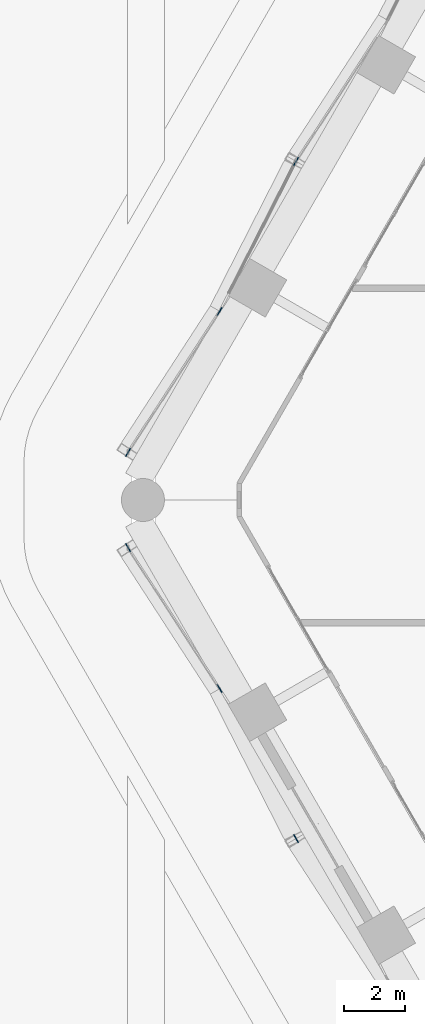
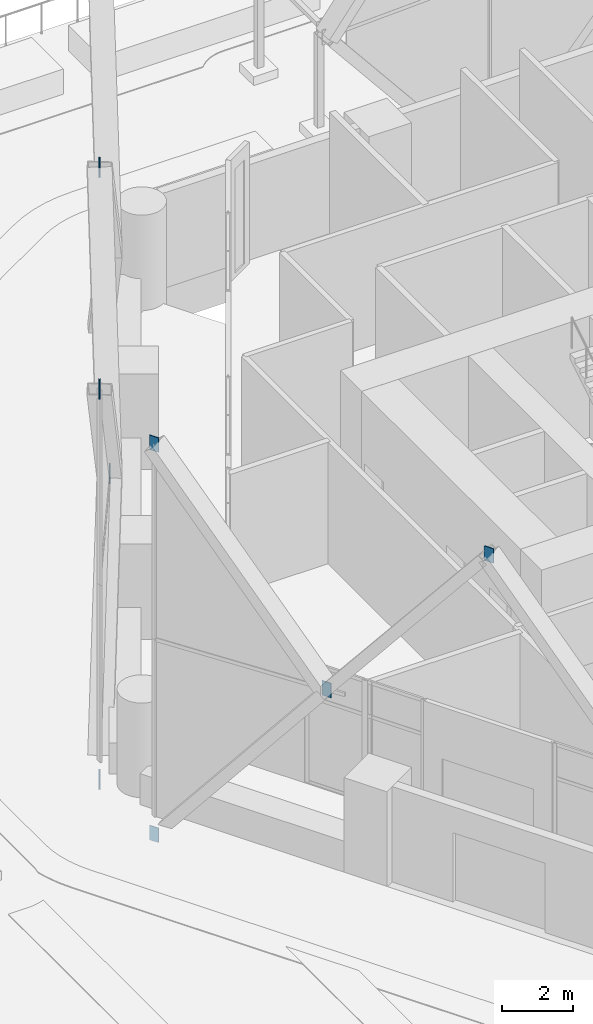
# One storey, part 59 of 71: 8 discrete accessories.
"""IFC4 building model written with IfcOpenShell, lengths in metres."""

import ifcopenshell
import ifcopenshell.guid

model = None  # the IFC model being written
_history = None  # IfcOwnerHistory: only IFC2X3 demands one
_inside = {}  # id of a spatial element -> (the spatial element, [elements in it])
_under = {}  # id of a project, library or spatial element -> (it, [spatial elements below it])
_declared = {}  # id of a project -> (the project, [libraries it declares])
_typed = {}  # id of a type object -> (the type object, [elements of that type])
_made_of = {}  # id of a material, layer set ... -> (it, [elements and type objects made of it])


def new_model(schema):
    """Start an empty IFC model of exactly this schema.

    Asked for "IFC4X3", IfcOpenShell would pick the latest addendum, in which some entities
    have other attributes; the version numbers below select the first issue.
    IFC2X3 requires an IfcOwnerHistory on every rooted entity: one is made here for all.
    """
    global model, _history
    if schema == "IFC4X3":
        model = ifcopenshell.file(schema_version=(4, 3, 0, 0))
    else:
        model = ifcopenshell.file(schema=schema)
    _inside.clear()
    _under.clear()
    _declared.clear()
    _typed.clear()
    _made_of.clear()
    _history = None
    if model.schema == "IFC2X3":
        org = make("IfcOrganization", Name="unknown")
        user = make(
            "IfcPersonAndOrganization",
            ThePerson=make("IfcPerson", FamilyName="unknown"),
            TheOrganization=org,
        )
        app = make(
            "IfcApplication",
            ApplicationDeveloper=org,
            Version="unknown",
            ApplicationFullName="unknown",
            ApplicationIdentifier="unknown",
        )
        _history = make(
            "IfcOwnerHistory",
            OwningUser=user,
            OwningApplication=app,
            ChangeAction="ADDED",
            CreationDate=0,
        )
    return model


def make(cls, **values):
    """One entity of the class cls with the attributes given. An attribute that is None is left unset."""
    return model.create_entity(
        cls, **{name: value for name, value in values.items() if value is not None}
    )


def rooted(cls, **values):
    """An entity with a GlobalId (a new one), such as an element, a storey or a relation."""
    return make(cls, GlobalId=ifcopenshell.guid.new(), OwnerHistory=_history, **values)


def si_unit(unit_type, name, prefix=None):
    """IfcSIUnit, for example si_unit("LENGTHUNIT", "METRE", prefix="MILLI")."""
    return make("IfcSIUnit", UnitType=unit_type, Prefix=prefix, Name=name)


def assignment(units):
    """IfcUnitAssignment: the units of a project."""
    return None if units is None else make("IfcUnitAssignment", Units=units)


def point(xyz):
    """IfcCartesianPoint."""
    return None if xyz is None else make("IfcCartesianPoint", Coordinates=xyz)


def direction(xyz):
    """IfcDirection."""
    return None if xyz is None else make("IfcDirection", DirectionRatios=xyz)


def frame(location, z_axis=None, x_axis=None):
    """IfcAxis2Placement3D, a coordinate frame: its origin and axes. An axis left out is left unset."""
    return make(
        "IfcAxis2Placement3D",
        Location=point(location),
        Axis=direction(z_axis),
        RefDirection=direction(x_axis),
    )


def frame_2d(location, x_axis=None):
    """IfcAxis2Placement2D, a coordinate frame in the plane: its origin and x axis."""
    return make(
        "IfcAxis2Placement2D", Location=point(location), RefDirection=direction(x_axis)
    )


def origin():
    """The frame at (0, 0, 0) with its axes left unset."""
    return frame((0.0, 0.0, 0.0))


def origin_2d():
    """The frame at (0, 0) in the plane with its x axis left unset."""
    return frame_2d((0.0, 0.0))


def place(relative_to, where):
    """IfcLocalPlacement: puts the frame where relative to a parent placement (None: the world)."""
    return make(
        "IfcLocalPlacement", PlacementRelTo=relative_to, RelativePlacement=where
    )


def context(
    kind, dimensions, precision=None, world=None, true_north=None, identifier=None
):
    """IfcGeometricRepresentationContext, for example the 3D "Model" context."""
    return make(
        "IfcGeometricRepresentationContext",
        ContextIdentifier=identifier,
        ContextType=kind,
        CoordinateSpaceDimension=dimensions,
        Precision=precision,
        WorldCoordinateSystem=world,
        TrueNorth=true_north,
    )


def subcontext(parent, identifier, kind, view, scale=None):
    """IfcGeometricRepresentationSubContext, for example "Body" below "Model"."""
    return make(
        "IfcGeometricRepresentationSubContext",
        ContextIdentifier=identifier,
        ContextType=kind,
        ParentContext=parent,
        TargetScale=scale,
        TargetView=view,
    )


def project(units=None, contexts=None):
    """IfcProject with its units and contexts."""
    return rooted(
        "IfcProject",
        Name="project",
        RepresentationContexts=contexts,
        UnitsInContext=assignment(units),
    )


def spatial(cls, under=None, at=None, **own):
    """A site, building, storey or space (cls), placed at a placement, below another one or the project."""
    s = rooted(cls, ObjectPlacement=at, **own)
    if under is not None:
        _under.setdefault(under.id(), (under, []))[1].append(s)
    return s


def profile(cls, at=None, kind="AREA", **sizes):
    """A parametric profile (cls). Its sizes go by their IFC names, for example OverallWidth=200.0."""
    return make(cls, ProfileType=kind, Position=at, **sizes)


def rectangle(**sizes):
    """IfcRectangleProfileDef."""
    return profile("IfcRectangleProfileDef", **sizes)


def extrude(swept, where, along, depth):
    """IfcExtrudedAreaSolid: the profile swept, set in the frame where, extruded along a direction by depth."""
    return make(
        "IfcExtrudedAreaSolid",
        SweptArea=swept,
        Position=where,
        ExtrudedDirection=direction(along),
        Depth=depth,
    )


def shape(context_of_items, identifier, shape_type, items):
    """IfcShapeRepresentation: the items that make up one representation, for example the "Body"."""
    return make(
        "IfcShapeRepresentation",
        ContextOfItems=context_of_items,
        RepresentationIdentifier=identifier,
        RepresentationType=shape_type,
        Items=items,
    )


def material(Name=None, Category=None):
    """IfcMaterial."""
    return make("IfcMaterial", Name=Name, Category=Category)


def layer(
    of_material, thickness, ventilated=None, Name=None, Category=None, Priority=None
):
    """IfcMaterialLayer: one layer of a wall or slab, of a material (None: an air gap)."""
    return make(
        "IfcMaterialLayer",
        Material=of_material,
        LayerThickness=thickness,
        IsVentilated=ventilated,
        Name=Name,
        Category=Category,
        Priority=Priority,
    )


def layer_set(layers, Name=None):
    """IfcMaterialLayerSet."""
    return make("IfcMaterialLayerSet", MaterialLayers=layers, LayerSetName=Name)


def made_of(thing, what):
    """Note that an element or type object is made of a material, layer set ...; save() writes the relation."""
    if what is not None:
        _made_of.setdefault(what.id(), (what, []))[1].append(thing)
    return thing


def type_object(cls, material=None, **own):
    """A type object (cls), such as IfcWallType, which elements share."""
    return made_of(rooted(cls, **own), material)


def element(
    cls,
    number,
    at=None,
    inside=None,
    cuts=None,
    type_object=None,
    material=None,
    context=None,
    identifier="Body",
    shape_type=None,
    held_by="IfcProductDefinitionShape",
    body=None,
    shapes=None,
    **own,
):
    """One element of the class cls, such as IfcWall. Its Tag is "e" and its number.

    at: its placement. inside: the storey or other place that contains it. cuts: it is an
    opening in that element (IfcRelVoidsElement). A single representation is given by context,
    identifier, shape_type and body (its items); several are given by shapes. held_by: the class
    of the entity that holds the representations. save() writes the other relations.
    """
    e = rooted(cls, Tag="e%d" % number, ObjectPlacement=at, **own)
    if body is not None:
        shapes = [shape(context, identifier, shape_type, body)]
    if shapes is not None:
        e.Representation = make(held_by, Representations=shapes)
    if inside is not None:
        _inside.setdefault(inside.id(), (inside, []))[1].append(e)
    if cuts is not None:
        rooted(
            "IfcRelVoidsElement", RelatingBuildingElement=cuts, RelatedOpeningElement=e
        )
    if type_object is not None:
        _typed.setdefault(type_object.id(), (type_object, []))[1].append(e)
    return made_of(e, material)


def aggregate(whole, parts):
    """IfcRelAggregates: a whole, such as a stair, and the parts it consists of."""
    return rooted("IfcRelAggregates", RelatingObject=whole, RelatedObjects=parts)


def save(model, path):
    """Write the relations noted so far, then the file.

    IfcRelAggregates (storeys below a building ...), IfcRelContainedInSpatialStructure (elements
    in a storey), IfcRelDefinesByType, IfcRelAssociatesMaterial and IfcRelDeclares: one each for
    every whole, place, type object, material and project.
    """
    for whole, parts in _under.values():
        aggregate(whole, parts)
    for where, things in _inside.values():
        rooted(
            "IfcRelContainedInSpatialStructure",
            RelatedElements=things,
            RelatingStructure=where,
        )
    for kind, things in _typed.values():
        rooted("IfcRelDefinesByType", RelatedObjects=things, RelatingType=kind)
    for what, things in _made_of.values():
        rooted("IfcRelAssociatesMaterial", RelatedObjects=things, RelatingMaterial=what)
    for by, libraries in _declared.values():
        rooted("IfcRelDeclares", RelatingContext=by, RelatedDefinitions=libraries)
    model.write(path)


model = new_model("IFC4")

# Units and contexts
model_context = context("Model", 3, precision=1e-05, world=origin(), true_north=direction((0.0, 1.0)))
body_context = subcontext(model_context, "Body", "Model", "MODEL_VIEW")
ifc_project = project(units=[si_unit("LENGTHUNIT", "METRE"), si_unit("AREAUNIT", "SQUARE_METRE"), si_unit("VOLUMEUNIT", "CUBIC_METRE"), si_unit("PLANEANGLEUNIT", "RADIAN"), si_unit("MASSUNIT", "GRAM", prefix="KILO")], contexts=[model_context])

# Site, building, storey
site_placement = place(None, origin())
site = spatial("IfcSite", under=ifc_project, at=site_placement, CompositionType="ELEMENT")
building_placement = place(site_placement, origin())
building = spatial("IfcBuilding", under=site, at=building_placement, Name="Ostrander Bayou Hotel Tower", CompositionType="ELEMENT")
storey_placement = place(building_placement, frame((0.0, 0.0, 10.0)))
storey = spatial("IfcBuildingStorey", under=building, at=storey_placement, Name="L02", CompositionType="ELEMENT", Elevation=10.0)

# Discrete accessories
ifc_material = material(Name="Steel ASTM A572 Gr 50", Category="steel")
ifc_layer = layer(ifc_material, 0.030029296875)
ifc_layer_set = layer_set([ifc_layer], Name="GP1 gusset plate 30 mm")
discrete_accessory_type = type_object("IfcDiscreteAccessoryType", Name="GP1 gusset plate 30 mm", PredefinedType="BRACKET", material=ifc_layer_set)
for number, where, z_axis, x_axis, name in (
    (1, (-19.11328125, 11.034912109375, 12.64990234375), (0.0, 0.0, 1.0), (-0.5, -0.866025403784, 0.0), "GP1 gusset plate lat 8"),
    (2, (-21.602294921875, 6.14990234375, 5.89990234375), (0.0, 0.0, 1.0), (-0.5, -0.866025403784, 0.0), "GP1 gusset plate lat 9"),
    (3, (-24.58837890625, 1.551513671875, -0.85009765625), (0.0, 0.0, 1.0), (-0.5, -0.866025403784, 0.0), "GP1 gusset plate lat 10"),
    (4, (-24.58837890625, 1.551513671875, 12.64990234375), (0.0, 0.0, 1.0), (-0.5, -0.866025403784, 0.0), "GP1 gusset plate lat 11"),
    (5, (-21.602294921875, -6.14990234375, 5.89990234375), (0.0, 0.0, 1.0), (0.5, -0.866025403784, 0.0), "GP1 gusset plate lat 12"),
    (6, (-24.58837890625, -1.551513671875, -0.85009765625), (0.0, 0.0, 1.0), (0.5, -0.866025403784, 0.0), "GP1 gusset plate lat 13"),
    (7, (-24.58837890625, -1.551513671875, 12.64990234375), (0.0, 0.0, 1.0), (0.5, -0.866025403784, 0.0), "GP1 gusset plate lat 14"),
    (8, (-19.11328125, -11.034912109375, 12.64990234375), (0.0, 0.0, 1.0), (0.5, -0.866025403784, 0.0), "GP1 gusset plate lat 15"),
):
    element("IfcDiscreteAccessory", number, at=place(storey_placement, frame(where, z_axis=z_axis, x_axis=x_axis)), inside=storey, type_object=discrete_accessory_type, Name=name, PredefinedType="BRACKET", context=body_context, shape_type="SweptSolid", body=[
        extrude(rectangle(XDim=0.300048828125, YDim=0.030029296875, at=origin_2d()), origin(), (0.0, 0.0, 1.0), 0.5),
    ])

save(model, "model.ifc")
